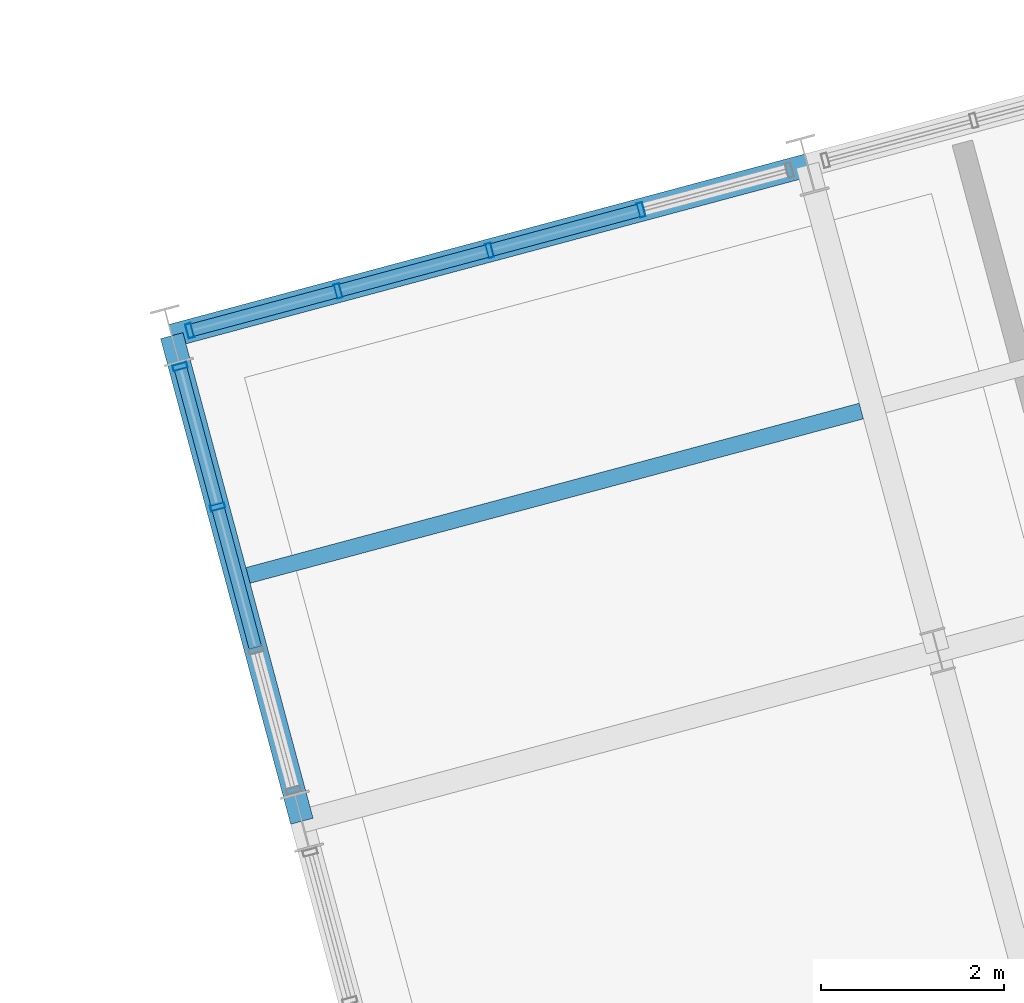
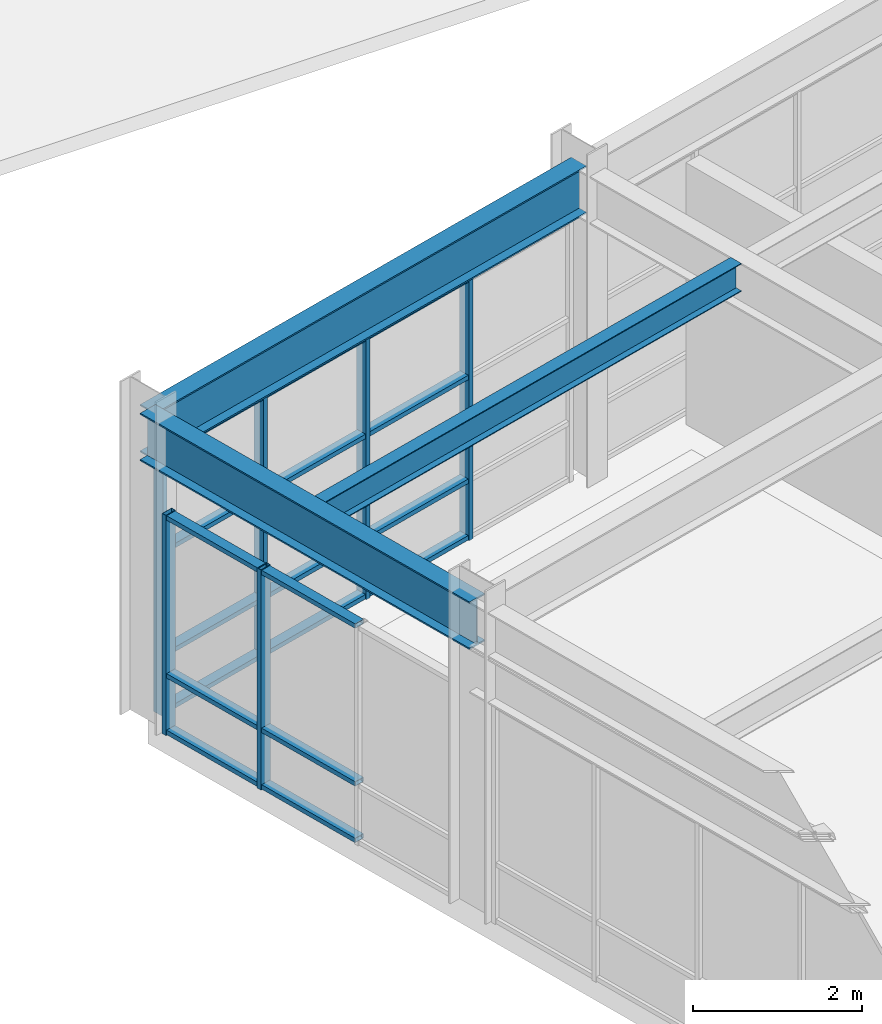
# One storey, part 40 of 104: 24 members, 3 beams, 2 elements without a shape of their own.
"""IFC4 building model written with IfcOpenShell, lengths in metres."""

from ifc_helpers import new_model, si_unit, direction, frame, origin, origin_2d, place, context, subcontext, project, spatial, hollow_rectangle, i_section, extrude, material, layer, layer_set, material_profile, profile_set, type_object, element, aggregate, save


model = new_model("IFC4")

# Units and contexts
model_context = context("Model", 3, precision=1e-05, world=origin(), true_north=direction((0.0, 1.0)))
body_context = subcontext(model_context, "Body", "Model", "MODEL_VIEW")
ifc_project = project(units=[si_unit("LENGTHUNIT", "METRE"), si_unit("AREAUNIT", "SQUARE_METRE"), si_unit("VOLUMEUNIT", "CUBIC_METRE"), si_unit("PLANEANGLEUNIT", "RADIAN"), si_unit("MASSUNIT", "GRAM", prefix="KILO")], contexts=[model_context])

# Site, building, storey
site_placement = place(None, origin())
site = spatial("IfcSite", under=ifc_project, at=site_placement, CompositionType="ELEMENT")
building_placement = place(site_placement, origin())
building = spatial("IfcBuilding", under=site, at=building_placement, Name="Ventoquebrada Cableway Terminal", CompositionType="ELEMENT")
storey_placement = place(building_placement, frame((0.0, 0.0, 4.800048828125)))
storey = spatial("IfcBuildingStorey", under=building, at=storey_placement, Name="L01", CompositionType="ELEMENT", Elevation=4.800048828125)

# Beams
ifc_material_1 = material(Name="Steel ASTM A992 Grade 50", Category="steel")
ifc_material_profile_1 = material_profile(ifc_material_1, i_section(OverallWidth=0.25390625, OverallDepth=0.68798828125, WebThickness=0.01318359375, FlangeThickness=0.02099609375, at=origin_2d()), Name="W27X102")
ifc_profile_set_1 = profile_set([ifc_material_profile_1], Name="Steel ASTM A992 Grade 50")
beam_type_1 = type_object("IfcBeamType", Name="BM-ST04", PredefinedType="BEAM", material=ifc_profile_set_1)
beam_1_placement = place(storey_placement, frame((46.672119140625, 89.5859375, 4.130859375), z_axis=(-0.25877602824, 0.965937351596, 0.0), x_axis=(-0.965937351596, -0.25877602824, 0.0)))
element("IfcBeam", 1, at=beam_1_placement, inside=storey, type_object=beam_type_1, Name="Splayed station girder FBM-1020", PredefinedType="BEAM", context=body_context, shape_type="SweptSolid", body=[
    extrude(i_section(OverallWidth=0.25390625, OverallDepth=0.68798828125, WebThickness=0.01318359375, FlangeThickness=0.02099609375, at=origin_2d()), origin(), (0.0, 0.0, 1.0), 5.499267578125),
])
beam_2_placement = place(storey_placement, frame((45.2490234375, 94.89794921875, 4.130859375), z_axis=(0.965900361292, 0.258914063071, 0.0), x_axis=(-0.258914063071, 0.965900361292, 0.0)))
element("IfcBeam", 2, at=beam_2_placement, inside=storey, type_object=beam_type_1, Name="Splayed station girder FBM-1061", PredefinedType="BEAM", context=body_context, shape_type="SweptSolid", body=[
    extrude(i_section(OverallWidth=0.25390625, OverallDepth=0.68798828125, WebThickness=0.01318359375, FlangeThickness=0.02099609375, at=origin_2d()), origin(), (0.0, 0.0, 1.0), 7.199462890625),
])

# Curtain wall, members
ifc_material_2 = material(Name="Anodized thermally-broken aluminium", Category="aluminium")
ifc_layer_1 = layer(ifc_material_2, 0.159912109375)
ifc_layer_set_1 = layer_set([ifc_layer_1], Name="Anodized thermally-broken aluminium")
curtain_wall_type_1 = type_object("IfcCurtainWallType", Name="CW-T37", PredefinedType="USERDEFINED", material=ifc_layer_set_1)
curtain_wall_1_placement = place(storey_placement, origin())
curtain_wall_1 = element("IfcCurtainWall", 3, at=curtain_wall_1_placement, inside=storey, type_object=curtain_wall_type_1, Name="Unitised glazed curtain wall CW-088", ObjectType="UNITISED CURTAIN WALL", PredefinedType="USERDEFINED")
ifc_material_profile_2 = material_profile(ifc_material_2, hollow_rectangle(XDim=0.06494140625, YDim=0.159912109375, WallThickness=0.00390625, at=origin_2d()), Name="CW-MUL-65X160")
ifc_profile_set_2 = profile_set([ifc_material_profile_2], Name="Anodized thermally-broken aluminium")
member_type_1 = type_object("IfcMemberType", Name="CWM-01", PredefinedType="MULLION", material=ifc_profile_set_2)
member_1_placement = place(storey_placement, frame((50.383056640625, 96.27392578125, -0.008056640625), z_axis=(0.0, 0.0, 1.0), x_axis=(-0.965925826289, -0.258819045103, 0.0)))
member_1 = element("IfcMember", 4, at=member_1_placement, type_object=member_type_1, Name="Curtain wall mullion FML-0430", PredefinedType="MULLION", context=body_context, shape_type="SweptSolid", body=[
    extrude(hollow_rectangle(XDim=0.06494140625, YDim=0.159912109375, WallThickness=0.00390625, at=origin_2d()), origin(), (0.0, 0.0, 1.0), 3.794921875),
])
member_2_placement = place(storey_placement, frame((48.72607421875, 95.830078125, -0.008056640625), z_axis=(0.0, 0.0, 1.0), x_axis=(-0.965925826289, -0.258819045103, 0.0)))
member_2 = element("IfcMember", 5, at=member_2_placement, type_object=member_type_1, Name="Curtain wall mullion FML-0431", PredefinedType="MULLION", context=body_context, shape_type="SweptSolid", body=[
    extrude(hollow_rectangle(XDim=0.06494140625, YDim=0.159912109375, WallThickness=0.00390625, at=origin_2d()), origin(), (0.0, 0.0, 1.0), 3.794921875),
])
member_3_placement = place(storey_placement, frame((47.069091796875, 95.385986328125, -0.008056640625), z_axis=(0.0, 0.0, 1.0), x_axis=(-0.965925826289, -0.258819045103, 0.0)))
member_3 = element("IfcMember", 6, at=member_3_placement, type_object=member_type_1, Name="Curtain wall mullion FML-0432", PredefinedType="MULLION", context=body_context, shape_type="SweptSolid", body=[
    extrude(hollow_rectangle(XDim=0.06494140625, YDim=0.159912109375, WallThickness=0.00390625, at=origin_2d()), origin(), (0.0, 0.0, 1.0), 3.794921875),
])
member_4_placement = place(storey_placement, frame((45.446044921875, 94.950927734375, -0.008056640625), z_axis=(0.0, 0.0, 1.0), x_axis=(-0.965925826289, -0.258819045103, 0.0)))
member_4 = element("IfcMember", 7, at=member_4_placement, type_object=member_type_1, Name="Curtain wall mullion FML-0433", PredefinedType="MULLION", context=body_context, shape_type="SweptSolid", body=[
    extrude(hollow_rectangle(XDim=0.06494140625, YDim=0.159912109375, WallThickness=0.00390625, at=origin_2d()), origin(), (0.0, 0.0, 1.0), 3.794921875),
])

ifc_layer_2 = layer(ifc_material_2, 0.159912109375)
ifc_layer_set_2 = layer_set([ifc_layer_2], Name="Anodized thermally-broken aluminium")
curtain_wall_type_2 = type_object("IfcCurtainWallType", Name="CW-T38", PredefinedType="USERDEFINED", material=ifc_layer_set_2)
curtain_wall_2_placement = place(storey_placement, origin())
curtain_wall_2 = element("IfcCurtainWall", 8, at=curtain_wall_2_placement, inside=storey, type_object=curtain_wall_type_2, Name="Unitised glazed curtain wall CW-096", ObjectType="UNITISED CURTAIN WALL", PredefinedType="USERDEFINED")
member_5_placement = place(storey_placement, frame((45.340087890625, 94.55908203125, -0.008056640625), z_axis=(0.0, 0.0, 1.0), x_axis=(0.258650455301, -0.965970984022, 0.0)))
member_5 = element("IfcMember", 9, at=member_5_placement, type_object=member_type_1, Name="Curtain wall mullion FML-0468", PredefinedType="MULLION", context=body_context, shape_type="SweptSolid", body=[
    extrude(hollow_rectangle(XDim=0.06494140625, YDim=0.159912109375, WallThickness=0.00390625, at=origin_2d()), origin(), (0.0, 0.0, 1.0), 3.173095703125),
])
member_6_placement = place(storey_placement, frame((45.7509765625, 93.02587890625, -0.008056640625), z_axis=(0.0, 0.0, 1.0), x_axis=(0.258650455301, -0.965970984022, 0.0)))
member_6 = element("IfcMember", 10, at=member_6_placement, type_object=member_type_1, Name="Curtain wall mullion FML-0469", PredefinedType="MULLION", context=body_context, shape_type="SweptSolid", body=[
    extrude(hollow_rectangle(XDim=0.06494140625, YDim=0.159912109375, WallThickness=0.00390625, at=origin_2d()), origin(), (0.0, 0.0, 1.0), 3.173095703125),
])

# Member
ifc_material_profile_3 = material_profile(ifc_material_2, hollow_rectangle(XDim=0.06494140625, YDim=0.139892578125, WallThickness=0.00390625, at=origin_2d()), Name="CW-TRN-65X140")
ifc_profile_set_3 = profile_set([ifc_material_profile_3], Name="Anodized thermally-broken aluminium")
member_type_2 = type_object("IfcMemberType", Name="CWT-01", PredefinedType="USERDEFINED", material=ifc_profile_set_3)
member_7_placement = place(storey_placement, frame((50.35595703125, 96.26708984375, 0.034912109375), z_axis=(-0.965828469051, -0.259182114296, 0.0), x_axis=(0.0, 0.0, 1.0)))
member_7 = element("IfcMember", 11, at=member_7_placement, type_object=member_type_2, Name="Curtain wall transom FTR-1276", ObjectType="TRANSOM", PredefinedType="USERDEFINED", context=body_context, shape_type="SweptSolid", body=[
    extrude(hollow_rectangle(XDim=0.06494140625, YDim=0.139892578125, WallThickness=0.00390625, at=origin_2d()), origin(), (0.0, 0.0, 1.0), 1.65966796875),
])

member_8_placement = place(storey_placement, frame((50.35595703125, 96.26708984375, 0.849853515625), z_axis=(-0.965828469051, -0.259182114296, 0.0), x_axis=(0.0, 0.0, 1.0)))
member_8 = element("IfcMember", 12, at=member_8_placement, type_object=member_type_2, Name="Curtain wall transom FTR-1277", ObjectType="TRANSOM", PredefinedType="USERDEFINED", context=body_context, shape_type="SweptSolid", body=[
    extrude(hollow_rectangle(XDim=0.06494140625, YDim=0.139892578125, WallThickness=0.00390625, at=origin_2d()), origin(), (0.0, 0.0, 1.0), 1.65966796875),
])

member_9_placement = place(storey_placement, frame((50.35595703125, 96.26708984375, 2.344970703125), z_axis=(-0.965828469051, -0.259182114296, 0.0), x_axis=(0.0, 0.0, 1.0)))
member_9 = element("IfcMember", 13, at=member_9_placement, type_object=member_type_2, Name="Curtain wall transom FTR-1278", ObjectType="TRANSOM", PredefinedType="USERDEFINED", context=body_context, shape_type="SweptSolid", body=[
    extrude(hollow_rectangle(XDim=0.06494140625, YDim=0.139892578125, WallThickness=0.00390625, at=origin_2d()), origin(), (0.0, 0.0, 1.0), 1.65966796875),
])

member_10_placement = place(storey_placement, frame((50.35595703125, 96.26708984375, 3.7470703125), z_axis=(-0.965828469051, -0.259182114296, 0.0), x_axis=(0.0, 0.0, 1.0)))
member_10 = element("IfcMember", 14, at=member_10_placement, type_object=member_type_2, Name="Curtain wall transom FTR-1279", ObjectType="TRANSOM", PredefinedType="USERDEFINED", context=body_context, shape_type="SweptSolid", body=[
    extrude(hollow_rectangle(XDim=0.06494140625, YDim=0.139892578125, WallThickness=0.00390625, at=origin_2d()), origin(), (0.0, 0.0, 1.0), 1.65966796875),
])

member_11_placement = place(storey_placement, frame((48.698974609375, 95.822998046875, 0.034912109375), z_axis=(-0.965865282434, -0.259044892228, 0.0), x_axis=(0.0, 0.0, 1.0)))
member_11 = element("IfcMember", 15, at=member_11_placement, type_object=member_type_2, Name="Curtain wall transom FTR-1280", ObjectType="TRANSOM", PredefinedType="USERDEFINED", context=body_context, shape_type="SweptSolid", body=[
    extrude(hollow_rectangle(XDim=0.06494140625, YDim=0.139892578125, WallThickness=0.00390625, at=origin_2d()), origin(), (0.0, 0.0, 1.0), 1.65966796875),
])

member_12_placement = place(storey_placement, frame((48.698974609375, 95.822998046875, 0.849853515625), z_axis=(-0.965865282434, -0.259044892228, 0.0), x_axis=(0.0, 0.0, 1.0)))
member_12 = element("IfcMember", 16, at=member_12_placement, type_object=member_type_2, Name="Curtain wall transom FTR-1281", ObjectType="TRANSOM", PredefinedType="USERDEFINED", context=body_context, shape_type="SweptSolid", body=[
    extrude(hollow_rectangle(XDim=0.06494140625, YDim=0.139892578125, WallThickness=0.00390625, at=origin_2d()), origin(), (0.0, 0.0, 1.0), 1.65966796875),
])

member_13_placement = place(storey_placement, frame((48.698974609375, 95.822998046875, 2.344970703125), z_axis=(-0.965865282434, -0.259044892228, 0.0), x_axis=(0.0, 0.0, 1.0)))
member_13 = element("IfcMember", 17, at=member_13_placement, type_object=member_type_2, Name="Curtain wall transom FTR-1282", ObjectType="TRANSOM", PredefinedType="USERDEFINED", context=body_context, shape_type="SweptSolid", body=[
    extrude(hollow_rectangle(XDim=0.06494140625, YDim=0.139892578125, WallThickness=0.00390625, at=origin_2d()), origin(), (0.0, 0.0, 1.0), 1.65966796875),
])

member_14_placement = place(storey_placement, frame((48.698974609375, 95.822998046875, 3.7470703125), z_axis=(-0.965865282434, -0.259044892228, 0.0), x_axis=(0.0, 0.0, 1.0)))
member_14 = element("IfcMember", 18, at=member_14_placement, type_object=member_type_2, Name="Curtain wall transom FTR-1283", ObjectType="TRANSOM", PredefinedType="USERDEFINED", context=body_context, shape_type="SweptSolid", body=[
    extrude(hollow_rectangle(XDim=0.06494140625, YDim=0.139892578125, WallThickness=0.00390625, at=origin_2d()), origin(), (0.0, 0.0, 1.0), 1.65966796875),
])

member_15_placement = place(storey_placement, frame((47.0419921875, 95.37890625, 0.034912109375), z_axis=(-0.965895076966, -0.258933775881, 0.0), x_axis=(0.0, 0.0, 1.0)))
member_15 = element("IfcMember", 19, at=member_15_placement, type_object=member_type_2, Name="Curtain wall transom FTR-1284", ObjectType="TRANSOM", PredefinedType="USERDEFINED", context=body_context, shape_type="SweptSolid", body=[
    extrude(hollow_rectangle(XDim=0.06494140625, YDim=0.139892578125, WallThickness=0.00390625, at=origin_2d()), origin(), (0.0, 0.0, 1.0), 1.62548828125),
])

member_16_placement = place(storey_placement, frame((47.0419921875, 95.37890625, 0.849853515625), z_axis=(-0.965895076966, -0.258933775881, 0.0), x_axis=(0.0, 0.0, 1.0)))
member_16 = element("IfcMember", 20, at=member_16_placement, type_object=member_type_2, Name="Curtain wall transom FTR-1285", ObjectType="TRANSOM", PredefinedType="USERDEFINED", context=body_context, shape_type="SweptSolid", body=[
    extrude(hollow_rectangle(XDim=0.06494140625, YDim=0.139892578125, WallThickness=0.00390625, at=origin_2d()), origin(), (0.0, 0.0, 1.0), 1.62548828125),
])

member_17_placement = place(storey_placement, frame((47.0419921875, 95.37890625, 2.344970703125), z_axis=(-0.965895076966, -0.258933775881, 0.0), x_axis=(0.0, 0.0, 1.0)))
member_17 = element("IfcMember", 21, at=member_17_placement, type_object=member_type_2, Name="Curtain wall transom FTR-1286", ObjectType="TRANSOM", PredefinedType="USERDEFINED", context=body_context, shape_type="SweptSolid", body=[
    extrude(hollow_rectangle(XDim=0.06494140625, YDim=0.139892578125, WallThickness=0.00390625, at=origin_2d()), origin(), (0.0, 0.0, 1.0), 1.62548828125),
])

member_18_placement = place(storey_placement, frame((47.0419921875, 95.37890625, 3.7470703125), z_axis=(-0.965895076966, -0.258933775881, 0.0), x_axis=(0.0, 0.0, 1.0)))
member_18 = element("IfcMember", 22, at=member_18_placement, type_object=member_type_2, Name="Curtain wall transom FTR-1287", ObjectType="TRANSOM", PredefinedType="USERDEFINED", context=body_context, shape_type="SweptSolid", body=[
    extrude(hollow_rectangle(XDim=0.06494140625, YDim=0.139892578125, WallThickness=0.00390625, at=origin_2d()), origin(), (0.0, 0.0, 1.0), 1.62548828125),
])

aggregate(curtain_wall_1, [member_1, member_2, member_3, member_4, member_7, member_8, member_9, member_10, member_11, member_12, member_13, member_14, member_15, member_16, member_17, member_18])

member_19_placement = place(storey_placement, frame((45.346923828125, 94.532958984375, 0.034912109375), z_axis=(0.258911184026, -0.965901133029, 0.0), x_axis=(0.0, 0.0, 1.0)))
member_19 = element("IfcMember", 23, at=member_19_placement, type_object=member_type_2, Name="Curtain wall transom FTR-1385", ObjectType="TRANSOM", PredefinedType="USERDEFINED", context=body_context, shape_type="SweptSolid", body=[
    extrude(hollow_rectangle(XDim=0.06494140625, YDim=0.139892578125, WallThickness=0.00390625, at=origin_2d()), origin(), (0.0, 0.0, 1.0), 1.533203125),
])

member_20_placement = place(storey_placement, frame((45.346923828125, 94.532958984375, 0.849853515625), z_axis=(0.258911184026, -0.965901133029, 0.0), x_axis=(0.0, 0.0, 1.0)))
member_20 = element("IfcMember", 24, at=member_20_placement, type_object=member_type_2, Name="Curtain wall transom FTR-1386", ObjectType="TRANSOM", PredefinedType="USERDEFINED", context=body_context, shape_type="SweptSolid", body=[
    extrude(hollow_rectangle(XDim=0.06494140625, YDim=0.139892578125, WallThickness=0.00390625, at=origin_2d()), origin(), (0.0, 0.0, 1.0), 1.533203125),
])

member_21_placement = place(storey_placement, frame((45.346923828125, 94.532958984375, 3.125), z_axis=(0.258911184026, -0.965901133029, 0.0), x_axis=(0.0, 0.0, 1.0)))
member_21 = element("IfcMember", 25, at=member_21_placement, type_object=member_type_2, Name="Curtain wall transom FTR-1387", ObjectType="TRANSOM", PredefinedType="USERDEFINED", context=body_context, shape_type="SweptSolid", body=[
    extrude(hollow_rectangle(XDim=0.06494140625, YDim=0.139892578125, WallThickness=0.00390625, at=origin_2d()), origin(), (0.0, 0.0, 1.0), 1.533203125),
])

member_22_placement = place(storey_placement, frame((45.758056640625, 92.9990234375, 0.034912109375), z_axis=(0.258447956498, -0.966025182789, 0.0), x_axis=(0.0, 0.0, 1.0)))
member_22 = element("IfcMember", 26, at=member_22_placement, type_object=member_type_2, Name="Curtain wall transom FTR-1388", ObjectType="TRANSOM", PredefinedType="USERDEFINED", context=body_context, shape_type="SweptSolid", body=[
    extrude(hollow_rectangle(XDim=0.06494140625, YDim=0.139892578125, WallThickness=0.00390625, at=origin_2d()), origin(), (0.0, 0.0, 1.0), 1.567138671875),
])

member_23_placement = place(storey_placement, frame((45.758056640625, 92.9990234375, 0.849853515625), z_axis=(0.258447956498, -0.966025182789, 0.0), x_axis=(0.0, 0.0, 1.0)))
member_23 = element("IfcMember", 27, at=member_23_placement, type_object=member_type_2, Name="Curtain wall transom FTR-1389", ObjectType="TRANSOM", PredefinedType="USERDEFINED", context=body_context, shape_type="SweptSolid", body=[
    extrude(hollow_rectangle(XDim=0.06494140625, YDim=0.139892578125, WallThickness=0.00390625, at=origin_2d()), origin(), (0.0, 0.0, 1.0), 1.567138671875),
])

member_24_placement = place(storey_placement, frame((45.758056640625, 92.9990234375, 3.125), z_axis=(0.258447956498, -0.966025182789, 0.0), x_axis=(0.0, 0.0, 1.0)))
member_24 = element("IfcMember", 28, at=member_24_placement, type_object=member_type_2, Name="Curtain wall transom FTR-1390", ObjectType="TRANSOM", PredefinedType="USERDEFINED", context=body_context, shape_type="SweptSolid", body=[
    extrude(hollow_rectangle(XDim=0.06494140625, YDim=0.139892578125, WallThickness=0.00390625, at=origin_2d()), origin(), (0.0, 0.0, 1.0), 1.567138671875),
])

aggregate(curtain_wall_2, [member_5, member_6, member_19, member_20, member_21, member_22, member_23, member_24])

# Beam
ifc_material_profile_4 = material_profile(ifc_material_1, i_section(OverallWidth=0.177978515625, OverallDepth=0.406005859375, WebThickness=0.0078125, FlangeThickness=0.0126953125, at=origin_2d()), Name="W16X40")
ifc_profile_set_4 = profile_set([ifc_material_profile_4], Name="Steel ASTM A992 Grade 50")
beam_type_2 = type_object("IfcBeamType", Name="JST-ST06", PredefinedType="JOIST", material=ifc_profile_set_4)
beam_3_placement = place(storey_placement, frame((46.0830078125, 92.27490234375, 4.27197265625), z_axis=(0.96591039222, 0.258876638963, 0.0), x_axis=(-0.258876638963, 0.96591039222, 0.0)))
element("IfcBeam", 29, at=beam_3_placement, inside=storey, type_object=beam_type_2, Name="Splayed deck joist FBM-1067", PredefinedType="JOIST", context=body_context, shape_type="SweptSolid", body=[
    extrude(i_section(OverallWidth=0.177978515625, OverallDepth=0.406005859375, WebThickness=0.0078125, FlangeThickness=0.0126953125, at=origin_2d()), origin(), (0.0, 0.0, 1.0), 6.94580078125),
])

save(model, "model.ifc")
